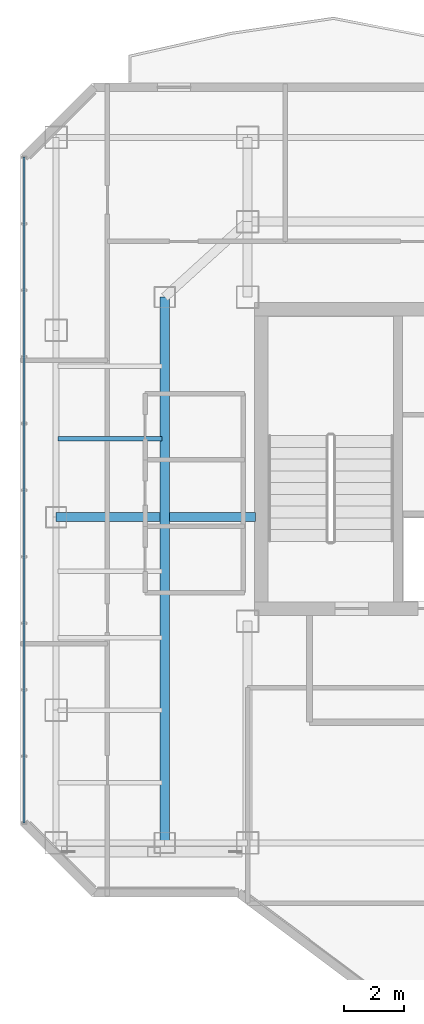
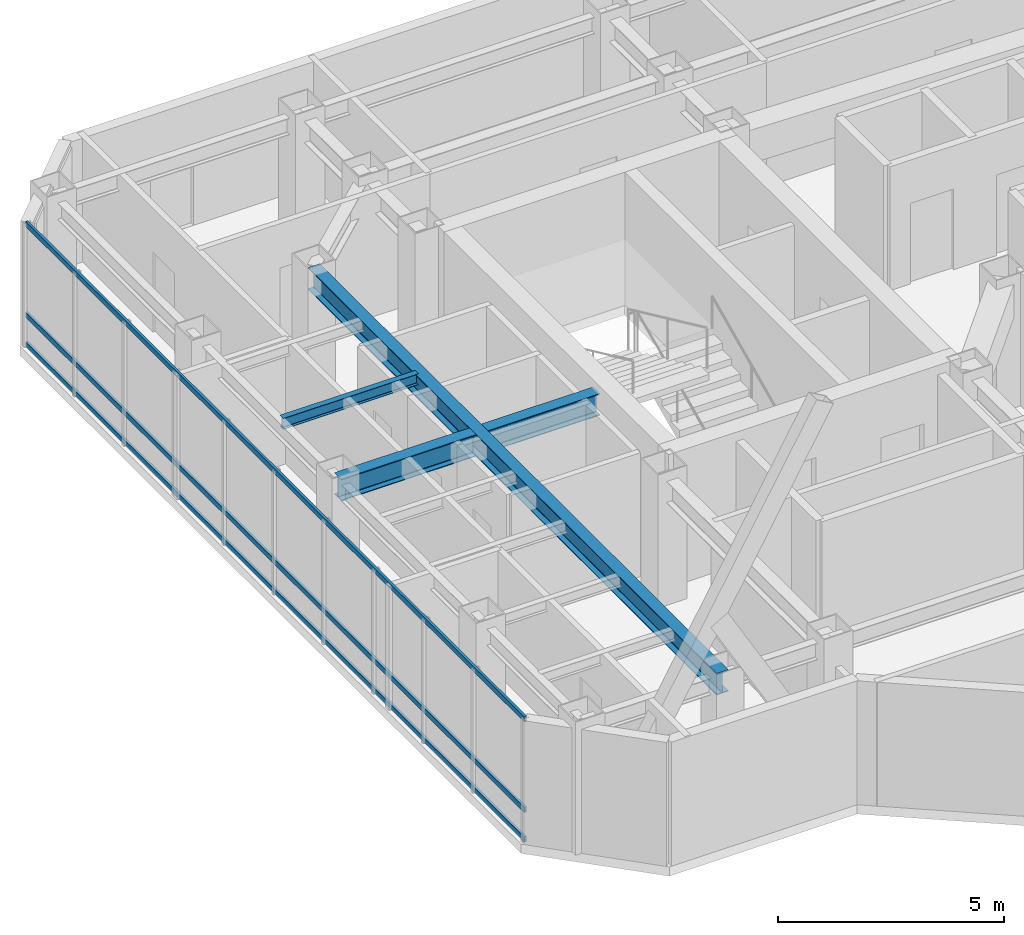
# One storey, part 7 of 24: 4 beams, 3 members, 1 element without a shape of its own.
"""IFC4 building model written with IfcOpenShell, lengths in metres."""

from ifc_helpers import new_model, si_unit, direction, frame, origin, origin_2d, place, context, subcontext, project, spatial, hollow_rectangle, i_section, extrude, material, layer, layer_set, material_profile, profile_set, type_object, element, aggregate, save


model = new_model("IFC4")

# Units and contexts
model_context = context("Model", 3, precision=1e-05, world=origin(), true_north=direction((0.0, 1.0)))
body_context = subcontext(model_context, "Body", "Model", "MODEL_VIEW")
ifc_project = project(units=[si_unit("LENGTHUNIT", "METRE"), si_unit("AREAUNIT", "SQUARE_METRE"), si_unit("VOLUMEUNIT", "CUBIC_METRE"), si_unit("PLANEANGLEUNIT", "RADIAN"), si_unit("MASSUNIT", "GRAM", prefix="KILO")], contexts=[model_context])

# Site, building, storey
site_placement = place(None, origin())
site = spatial("IfcSite", under=ifc_project, at=site_placement, CompositionType="ELEMENT")
building_placement = place(site_placement, origin())
building = spatial("IfcBuilding", under=site, at=building_placement, Name="Hatsunagi Terrace Concourse", CompositionType="ELEMENT")
storey_placement = place(building_placement, frame((0.0, 0.0, 202.35009765625)))
storey = spatial("IfcBuildingStorey", under=building, at=storey_placement, Name="L53", CompositionType="ELEMENT", Elevation=202.35009765625)

# Curtain wall, members
ifc_material_1 = material(Name="Anodised Aluminium Alloy 6063-T5", Category="aluminium")
ifc_layer = layer(ifc_material_1, 0.199951171875)
ifc_layer_set = layer_set([ifc_layer], Name="OfficeZone2_CW04")
curtain_wall_type = type_object("IfcCurtainWallType", Name="OfficeZone2_CW04", PredefinedType="NOTDEFINED", material=ifc_layer_set)
curtain_wall_placement = place(storey_placement, origin())
curtain_wall = element("IfcCurtainWall", 1, at=curtain_wall_placement, inside=storey, type_object=curtain_wall_type, Name="Unitised Curtain Wall CW-04 CW-L53-08", PredefinedType="NOTDEFINED")
ifc_material_2 = material(Name="Anodised Aluminium Alloy 6063-T5", Category="aluminium")
ifc_material_profile_1 = material_profile(ifc_material_2, hollow_rectangle(XDim=0.06494140625, YDim=0.139892578125, WallThickness=0.00390625, at=origin_2d()), Name="ALU-TRN-140x65x4")
ifc_profile_set_1 = profile_set([ifc_material_profile_1], Name="Anodised Aluminium Alloy 6063-T5")
member_type = type_object("IfcMemberType", Name="CurtainWallTransom_140x65", PredefinedType="USERDEFINED", material=ifc_profile_set_1)
member_1_placement = place(storey_placement, frame((18.139892578125, 25.85791015625, 0.0498046875), z_axis=(0.0, 1.0, 0.0), x_axis=(-1.0, 0.0, 0.0)))
member_1 = element("IfcMember", 2, at=member_1_placement, type_object=member_type, Name="Curtain Wall Transom TRN-02", ObjectType="TRANSOM", PredefinedType="USERDEFINED", context=body_context, shape_type="SweptSolid", body=[
    extrude(hollow_rectangle(XDim=0.06494140625, YDim=0.139892578125, WallThickness=0.00390625, at=origin_2d()), origin(), (0.0, 0.0, 1.0), 22.083984375),
])
member_2_placement = place(storey_placement, frame((18.139892578125, 25.85791015625, 0.849853515625), z_axis=(0.0, 1.0, 0.0), x_axis=(-1.0, 0.0, 0.0)))
member_2 = element("IfcMember", 3, at=member_2_placement, type_object=member_type, Name="Curtain Wall Transom TRN-02", ObjectType="TRANSOM", PredefinedType="USERDEFINED", context=body_context, shape_type="SweptSolid", body=[
    extrude(hollow_rectangle(XDim=0.06494140625, YDim=0.139892578125, WallThickness=0.00390625, at=origin_2d()), origin(), (0.0, 0.0, 1.0), 22.083984375),
])
member_3_placement = place(storey_placement, frame((18.139892578125, 25.85791015625, 3.2998046875), z_axis=(0.0, 1.0, 0.0), x_axis=(-1.0, 0.0, 0.0)))
member_3 = element("IfcMember", 4, at=member_3_placement, type_object=member_type, Name="Curtain Wall Transom TRN-02", ObjectType="TRANSOM", PredefinedType="USERDEFINED", context=body_context, shape_type="SweptSolid", body=[
    extrude(hollow_rectangle(XDim=0.06494140625, YDim=0.139892578125, WallThickness=0.00390625, at=origin_2d()), origin(), (0.0, 0.0, 1.0), 22.083984375),
])
aggregate(curtain_wall, [member_1, member_2, member_3])

# Beams
ifc_material_3 = material(Name="Steel SN490B", Category="steel")
ifc_material_profile_2 = material_profile(ifc_material_3, i_section(OverallWidth=0.300048828125, OverallDepth=0.587890625, WebThickness=0.011962890625, FlangeThickness=0.02001953125, FilletRadius=0.01806640625, at=origin_2d()), Name="H-588x300x12x20")
ifc_profile_set_2 = profile_set([ifc_material_profile_2], Name="Steel SN490B")
beam_type_1 = type_object("IfcBeamType", Name="OfficeHighGirder_H_588x300", PredefinedType="BEAM", material=ifc_profile_set_2)
beam_1_placement = place(storey_placement, frame((22.800048828125, 25.199951171875, 3.055908203125), z_axis=(0.0, 1.0, 0.0), x_axis=(-1.0, 0.0, 0.0)))
element("IfcBeam", 5, at=beam_1_placement, inside=storey, type_object=beam_type_1, Name="Beam G-06 BM-L53-CWNS", PredefinedType="BEAM", context=body_context, shape_type="SweptSolid", body=[
    extrude(i_section(OverallWidth=0.300048828125, OverallDepth=0.587890625, WebThickness=0.011962890625, FlangeThickness=0.02001953125, FilletRadius=0.01806640625, at=origin_2d()), origin(), (0.0, 0.0, 1.0), 18.10009765625),
])
beam_2_placement = place(storey_placement, frame((19.199951171875, 36.0, 3.055908203125), z_axis=(1.0, 0.0, 0.0), x_axis=(0.0, 1.0, 0.0)))
element("IfcBeam", 6, at=beam_2_placement, inside=storey, type_object=beam_type_1, Name="Beam G-06 BM-L53-EW-3", PredefinedType="BEAM", context=body_context, shape_type="SweptSolid", body=[
    extrude(i_section(OverallWidth=0.300048828125, OverallDepth=0.587890625, WebThickness=0.011962890625, FlangeThickness=0.02001953125, FilletRadius=0.01806640625, at=origin_2d()), origin(), (0.0, 0.0, 1.0), 3.449951171875),
])
beam_3_placement = place(storey_placement, frame((22.949951171875, 36.0, 3.055908203125), z_axis=(1.0, 0.0, 0.0), x_axis=(0.0, 1.0, 0.0)))
element("IfcBeam", 7, at=beam_3_placement, inside=storey, type_object=beam_type_1, Name="Beam G-06 BM-L53-EW-4", PredefinedType="BEAM", context=body_context, shape_type="SweptSolid", body=[
    extrude(i_section(OverallWidth=0.300048828125, OverallDepth=0.587890625, WebThickness=0.011962890625, FlangeThickness=0.02001953125, FilletRadius=0.01806640625, at=origin_2d()), origin(), (0.0, 0.0, 1.0), 2.860107421875),
])
ifc_material_4 = material(Name="Steel SN490B", Category="steel")
ifc_material_profile_3 = material_profile(ifc_material_4, i_section(OverallWidth=0.14990234375, OverallDepth=0.300048828125, WebThickness=0.006591796875, FlangeThickness=0.009033203125, FilletRadius=0.010986328125, at=origin_2d()), Name="H-300x150x6.5x9")
ifc_profile_set_3 = profile_set([ifc_material_profile_3], Name="Steel SN490B")
beam_type_2 = type_object("IfcBeamType", Name="OfficeJoist_H_300x150", PredefinedType="JOIST", material=ifc_profile_set_3)
beam_4_placement = place(storey_placement, frame((19.264892578125, 38.60009765625, 3.199951171875), z_axis=(1.0, 0.0, 0.0), x_axis=(0.0, 1.0, 0.0)))
element("IfcBeam", 8, at=beam_4_placement, inside=storey, type_object=beam_type_2, Name="Beam J-03 J-L53-W-19-386", PredefinedType="JOIST", context=body_context, shape_type="SweptSolid", body=[
    extrude(i_section(OverallWidth=0.14990234375, OverallDepth=0.300048828125, WebThickness=0.006591796875, FlangeThickness=0.009033203125, FilletRadius=0.010986328125, at=origin_2d()), origin(), (0.0, 0.0, 1.0), 3.4501953125),
])

save(model, "model.ifc")
